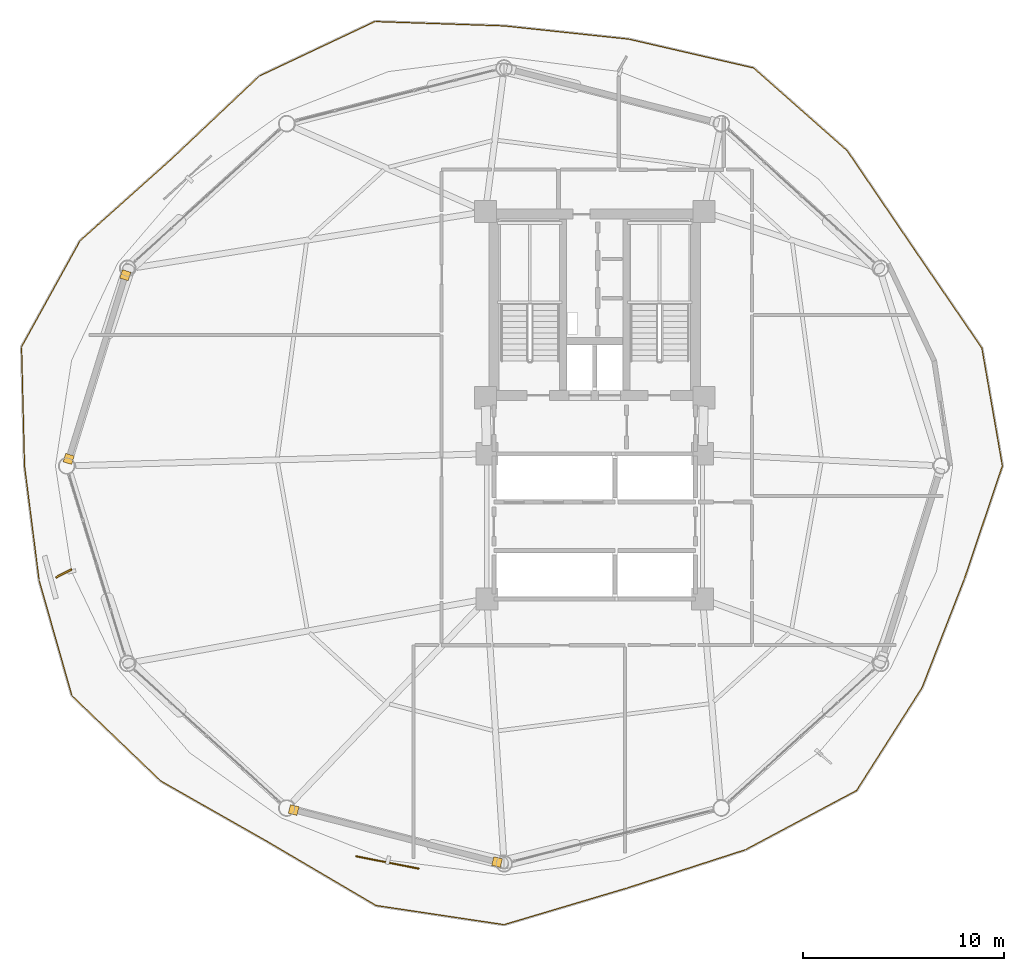
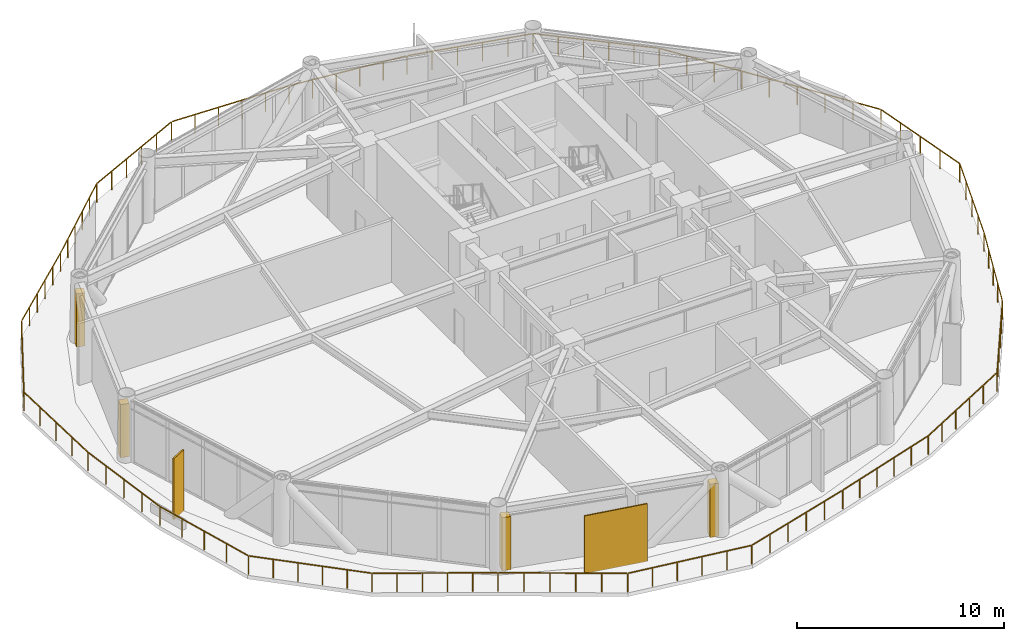
# One storey, part 24 of 26: 4 coverings, 2 shading devices, 1 railing.
"""IFC4 building model written with IfcOpenShell, lengths in metres."""

from ifc_helpers import new_model, si_unit, direction, frame, origin, origin_2d, place, context, subcontext, project, spatial, rectangle, extrude, source, transform, mapped, material, layer, layer_set, type_object, type_shapes, element, save


model = new_model("IFC4")

# Units and contexts
model_context = context("Model", 3, precision=1e-05, world=origin(), true_north=direction((0.0, 1.0)))
body_context = subcontext(model_context, "Body", "Model", "MODEL_VIEW")
ifc_project = project(units=[si_unit("LENGTHUNIT", "METRE"), si_unit("AREAUNIT", "SQUARE_METRE"), si_unit("VOLUMEUNIT", "CUBIC_METRE"), si_unit("PLANEANGLEUNIT", "RADIAN"), si_unit("MASSUNIT", "GRAM", prefix="KILO")], contexts=[model_context])

# Site, building, storey
site_placement = place(None, origin())
site = spatial("IfcSite", under=ifc_project, at=site_placement, CompositionType="ELEMENT")
building_placement = place(site_placement, origin())
building = spatial("IfcBuilding", under=site, at=building_placement, Name="Varnakorn Sky Granary", CompositionType="ELEMENT")
storey_placement = place(building_placement, frame((0.0, 0.0, 95.39990234375)))
storey = spatial("IfcBuildingStorey", under=building, at=storey_placement, Name="L23", CompositionType="ELEMENT", Elevation=95.39990234375)

# Railing
ifc_material = material(Name="Anodised Bronze Aluminium Alloy 6063-T6", Category="aluminium")
railing_type = type_object("IfcRailingType", Name="RL-BAL-1120", PredefinedType="BALUSTRADE", material=ifc_material)
railing_placement = place(storey_placement, frame((23.233642578125, 0.0, 0.0)))
element("IfcRailing", 1, at=railing_placement, inside=storey, type_object=railing_type, Name="Wavy Growing Deck Guard Balustrade L23", PredefinedType="BALUSTRADE", context=body_context, shape_type="SweptSolid", body=[
    extrude(rectangle(XDim=0.048095703125, YDim=0.048095703125, at=origin_2d()), frame((-0.0048828125, 0.027587890625, 1.09619140625), z_axis=(-0.171584161703, 0.985169465347, 0.0), x_axis=(-0.985169465347, -0.171584161703, 0.0)), (0.0, 0.0, 1.0), 5.880126953125),
    extrude(rectangle(XDim=0.048095703125, YDim=0.048095703125, at=origin_2d()), frame((-1.034423828125, 5.871337890625, 1.09619140625), z_axis=(-0.565011134702, 0.825083279229, 0.0), x_axis=(-0.825083279229, -0.565011134702, 0.0)), (0.0, 0.0, 1.0), 5.90771484375),
    extrude(rectangle(XDim=0.048095703125, YDim=0.048095703125, at=origin_2d()), frame((-4.40380859375, 10.7919921875, 1.09619140625), z_axis=(-0.562118679126, 0.827056582453, 0.0), x_axis=(-0.827056582453, -0.562118679126, 0.0)), (0.0, 0.0, 1.0), 5.842529296875),
    extrude(rectangle(XDim=0.048095703125, YDim=0.048095703125, at=origin_2d()), frame((-7.724853515625, 15.665771484375, 1.09619140625), z_axis=(-0.749397678514, 0.662120169937, 0.0), x_axis=(-0.662120169937, -0.749397678514, 0.0)), (0.0, 0.0, 1.0), 6.1455078125),
    extrude(rectangle(XDim=0.048095703125, YDim=0.048095703125, at=origin_2d()), frame((-12.378662109375, 19.759765625, 1.09619140625), z_axis=(-0.974431918751, 0.22468296713, 0.0), x_axis=(-0.22468296713, -0.974431918751, 0.0)), (0.0, 0.0, 1.0), 6.30712890625),
    extrude(rectangle(XDim=0.048095703125, YDim=0.048095703125, at=origin_2d()), frame((-18.57958984375, 21.18603515625, 1.09619140625), z_axis=(-0.994429010946, 0.105408454065, 0.0), x_axis=(-0.105408454065, -0.994429010946, 0.0)), (0.0, 0.0, 1.0), 6.160400390625),
    extrude(rectangle(XDim=0.048095703125, YDim=0.048095703125, at=origin_2d()), frame((-24.76171875, 21.83935546875, 1.09619140625), z_axis=(-0.999434644658, 0.033621288754, 0.0), x_axis=(-0.033621288754, -0.999434644658, 0.0)), (0.0, 0.0, 1.0), 6.363037109375),
    extrude(rectangle(XDim=0.048095703125, YDim=0.048095703125, at=origin_2d()), frame((-31.174560546875, 22.042236328125, 1.09619140625), z_axis=(-0.904392337518, -0.426701886378, 0.0), x_axis=(0.426701886378, -0.904392337518, 0.0)), (0.0, 0.0, 1.0), 6.283447265625),
    extrude(rectangle(XDim=0.048095703125, YDim=0.048095703125, at=origin_2d()), frame((-36.90283203125, 19.329833984375, 1.09619140625), z_axis=(-0.727024304099, -0.686611725249, 0.0), x_axis=(0.686611725249, -0.727024304099, 0.0)), (0.0, 0.0, 1.0), 6.015380859375),
    extrude(rectangle(XDim=0.048095703125, YDim=0.048095703125, at=origin_2d()), frame((-41.3173828125, 15.161865234375, 1.09619140625), z_axis=(-0.745490820223, -0.666515894007, 0.0), x_axis=(0.666515894007, -0.745490820223, 0.0)), (0.0, 0.0, 1.0), 5.956787109375),
    extrude(rectangle(XDim=0.048095703125, YDim=0.048095703125, at=origin_2d()), frame((-45.79248046875, 11.1484375, 1.09619140625), z_axis=(-0.483036531776, -0.875600199275, 0.0), x_axis=(0.875600199275, -0.483036531776, 0.0)), (0.0, 0.0, 1.0), 5.95361328125),
    extrude(rectangle(XDim=0.048095703125, YDim=0.048095703125, at=origin_2d()), frame((-48.68115234375, 5.8828125, 1.09619140625), z_axis=(0.025022108141, -0.999686898036, 0.0), x_axis=(0.999686898036, 0.025022108141, 0.0)), (0.0, 0.0, 1.0), 5.856689453125),
    extrude(rectangle(XDim=0.048095703125, YDim=0.048095703125, at=origin_2d()), frame((-48.530517578125, -0.02783203125, 1.09619140625), z_axis=(0.126307704955, -0.99199111068, 0.0), x_axis=(0.99199111068, 0.126307704955, 0.0)), (0.0, 0.0, 1.0), 5.667236328125),
    extrude(rectangle(XDim=0.048095703125, YDim=0.048095703125, at=origin_2d()), frame((-47.803466796875, -5.704345703125, 1.09619140625), z_axis=(0.273307694807, -0.961926662464, 0.0), x_axis=(0.961926662464, 0.273307694807, 0.0)), (0.0, 0.0, 1.0), 5.8994140625),
    extrude(rectangle(XDim=0.048095703125, YDim=0.048095703125, at=origin_2d()), frame((-46.1630859375, -11.425537109375, 1.09619140625), z_axis=(0.72156331708, -0.692348452331, 0.0), x_axis=(0.692348452331, 0.72156331708, 0.0)), (0.0, 0.0, 1.0), 6.069580078125),
    extrude(rectangle(XDim=0.048095703125, YDim=0.048095703125, at=origin_2d()), frame((-41.739013671875, -15.6611328125, 1.09619140625), z_axis=(0.869508308575, -0.493918314419, 0.0), x_axis=(0.493918314419, 0.869508308575, 0.0)), (0.0, 0.0, 1.0), 6.022216796875),
    extrude(rectangle(XDim=0.048095703125, YDim=0.048095703125, at=origin_2d()), frame((-36.4541015625, -18.66357421875, 1.09619140625), z_axis=(0.861954280779, -0.506986013463, 0.0), x_axis=(0.506986013463, 0.861954280779, 0.0)), (0.0, 0.0, 1.0), 6.199462890625),
    extrude(rectangle(XDim=0.048095703125, YDim=0.048095703125, at=origin_2d()), frame((-31.058837890625, -21.824951171875, 1.09619140625), z_axis=(0.988981747674, -0.1480375046, 0.0), x_axis=(0.1480375046, 0.988981747674, 0.0)), (0.0, 0.0, 1.0), 6.36767578125),
    extrude(rectangle(XDim=0.048095703125, YDim=0.048095703125, at=origin_2d()), frame((-24.706787109375, -22.763671875, 1.09619140625), z_axis=(0.958429300002, 0.285330119155, 0.0), x_axis=(-0.285330119155, 0.958429300002, 0.0)), (0.0, 0.0, 1.0), 6.328857421875),
    extrude(rectangle(XDim=0.048095703125, YDim=0.048095703125, at=origin_2d()), frame((-18.587646484375, -20.94140625, 1.09619140625), z_axis=(0.951394987034, 0.307973340804, 0.0), x_axis=(-0.307973340804, 0.951394987034, 0.0)), (0.0, 0.0, 1.0), 6.10205078125),
    extrude(rectangle(XDim=0.048095703125, YDim=0.048095703125, at=origin_2d()), frame((-12.73095703125, -19.040283203125, 1.09619140625), z_axis=(0.882587375565, 0.470148406883, 0.0), x_axis=(-0.470148406883, 0.882587375565, 0.0)), (0.0, 0.0, 1.0), 6.19677734375),
    extrude(rectangle(XDim=0.048095703125, YDim=0.048095703125, at=origin_2d()), frame((-7.221923828125, -16.090087890625, 1.09619140625), z_axis=(0.536888528697, 0.843653191634, 0.0), x_axis=(-0.843653191634, 0.536888528697, 0.0)), (0.0, 0.0, 1.0), 6.0029296875),
    extrude(rectangle(XDim=0.048095703125, YDim=0.048095703125, at=origin_2d()), frame((-3.973876953125, -10.97607421875, 1.09619140625), z_axis=(0.362364726864, 0.932036375216, 0.0), x_axis=(-0.932036375216, 0.362364726864, 0.0)), (0.0, 0.0, 1.0), 5.72412109375),
    extrude(rectangle(XDim=0.048095703125, YDim=0.048095703125, at=origin_2d()), frame((-1.880615234375, -5.58837890625, 1.09619140625), z_axis=(0.318958619515, 0.947768642147, 0.0), x_axis=(-0.947768642147, 0.318958619515, 0.0)), (0.0, 0.0, 1.0), 5.868408203125),
    extrude(rectangle(XDim=0.0419921875, YDim=0.0419921875, at=origin_2d()), origin(), (0.0, 0.0, 1.0), 1.068115234375),
    extrude(rectangle(XDim=0.0419921875, YDim=0.0419921875, at=origin_2d()), frame((-0.254638671875, 1.4619140625, 0.0)), (0.0, 0.0, 1.0), 1.068115234375),
    extrude(rectangle(XDim=0.0419921875, YDim=0.0419921875, at=origin_2d()), frame((-0.50927734375, 2.924072265625, 0.0)), (0.0, 0.0, 1.0), 1.068115234375),
    extrude(rectangle(XDim=0.0419921875, YDim=0.0419921875, at=origin_2d()), frame((-0.763916015625, 4.38623046875, 0.0)), (0.0, 0.0, 1.0), 1.068115234375),
    extrude(rectangle(XDim=0.0419921875, YDim=0.0419921875, at=origin_2d()), frame((-1.0185546875, 5.84814453125, 0.0)), (0.0, 0.0, 1.0), 1.068115234375),
    extrude(rectangle(XDim=0.0419921875, YDim=0.0419921875, at=origin_2d()), frame((-1.86083984375, 7.078369140625, 0.0)), (0.0, 0.0, 1.0), 1.068115234375),
    extrude(rectangle(XDim=0.0419921875, YDim=0.0419921875, at=origin_2d()), frame((-2.703369140625, 8.30859375, 0.0)), (0.0, 0.0, 1.0), 1.068115234375),
    extrude(rectangle(XDim=0.0419921875, YDim=0.0419921875, at=origin_2d()), frame((-3.5458984375, 9.53857421875, 0.0)), (0.0, 0.0, 1.0), 1.068115234375),
    extrude(rectangle(XDim=0.0419921875, YDim=0.0419921875, at=origin_2d()), frame((-4.38818359375, 10.768798828125, 0.0)), (0.0, 0.0, 1.0), 1.068115234375),
    extrude(rectangle(XDim=0.0419921875, YDim=0.0419921875, at=origin_2d()), frame((-5.217041015625, 11.98828125, 0.0)), (0.0, 0.0, 1.0), 1.068115234375),
    extrude(rectangle(XDim=0.0419921875, YDim=0.0419921875, at=origin_2d()), frame((-6.0458984375, 13.2080078125, 0.0)), (0.0, 0.0, 1.0), 1.068115234375),
    extrude(rectangle(XDim=0.0419921875, YDim=0.0419921875, at=origin_2d()), frame((-6.875, 14.427734375, 0.0)), (0.0, 0.0, 1.0), 1.068115234375),
    extrude(rectangle(XDim=0.0419921875, YDim=0.0419921875, at=origin_2d()), frame((-7.703857421875, 15.647216796875, 0.0)), (0.0, 0.0, 1.0), 1.068115234375),
    extrude(rectangle(XDim=0.0419921875, YDim=0.0419921875, at=origin_2d()), frame((-8.63330078125, 16.468505859375, 0.0)), (0.0, 0.0, 1.0), 1.068115234375),
    extrude(rectangle(XDim=0.0419921875, YDim=0.0419921875, at=origin_2d()), frame((-9.562744140625, 17.289794921875, 0.0)), (0.0, 0.0, 1.0), 1.068115234375),
    extrude(rectangle(XDim=0.0419921875, YDim=0.0419921875, at=origin_2d()), frame((-10.492431640625, 18.11083984375, 0.0)), (0.0, 0.0, 1.0), 1.068115234375),
    extrude(rectangle(XDim=0.0419921875, YDim=0.0419921875, at=origin_2d()), frame((-11.421875, 18.93212890625, 0.0)), (0.0, 0.0, 1.0), 1.068115234375),
    extrude(rectangle(XDim=0.0419921875, YDim=0.0419921875, at=origin_2d()), frame((-12.351318359375, 19.75341796875, 0.0)), (0.0, 0.0, 1.0), 1.068115234375),
    extrude(rectangle(XDim=0.0419921875, YDim=0.0419921875, at=origin_2d()), frame((-13.59130859375, 20.039306640625, 0.0)), (0.0, 0.0, 1.0), 1.068115234375),
    extrude(rectangle(XDim=0.0419921875, YDim=0.0419921875, at=origin_2d()), frame((-14.83154296875, 20.3251953125, 0.0)), (0.0, 0.0, 1.0), 1.068115234375),
    extrude(rectangle(XDim=0.0419921875, YDim=0.0419921875, at=origin_2d()), frame((-16.071533203125, 20.611328125, 0.0)), (0.0, 0.0, 1.0), 1.068115234375),
    extrude(rectangle(XDim=0.0419921875, YDim=0.0419921875, at=origin_2d()), frame((-17.311767578125, 20.897216796875, 0.0)), (0.0, 0.0, 1.0), 1.068115234375),
    extrude(rectangle(XDim=0.0419921875, YDim=0.0419921875, at=origin_2d()), frame((-18.5517578125, 21.18310546875, 0.0)), (0.0, 0.0, 1.0), 1.068115234375),
    extrude(rectangle(XDim=0.0419921875, YDim=0.0419921875, at=origin_2d()), frame((-19.7880859375, 21.314208984375, 0.0)), (0.0, 0.0, 1.0), 1.068115234375),
    extrude(rectangle(XDim=0.0419921875, YDim=0.0419921875, at=origin_2d()), frame((-21.0244140625, 21.4453125, 0.0)), (0.0, 0.0, 1.0), 1.068115234375),
    extrude(rectangle(XDim=0.0419921875, YDim=0.0419921875, at=origin_2d()), frame((-22.260986328125, 21.576171875, 0.0)), (0.0, 0.0, 1.0), 1.068115234375),
    extrude(rectangle(XDim=0.0419921875, YDim=0.0419921875, at=origin_2d()), frame((-23.497314453125, 21.707275390625, 0.0)), (0.0, 0.0, 1.0), 1.068115234375),
    extrude(rectangle(XDim=0.0419921875, YDim=0.0419921875, at=origin_2d()), frame((-24.733642578125, 21.83837890625, 0.0)), (0.0, 0.0, 1.0), 1.068115234375),
    extrude(rectangle(XDim=0.0419921875, YDim=0.0419921875, at=origin_2d()), frame((-26.016845703125, 21.881591796875, 0.0)), (0.0, 0.0, 1.0), 1.068115234375),
    extrude(rectangle(XDim=0.0419921875, YDim=0.0419921875, at=origin_2d()), frame((-27.2998046875, 21.9248046875, 0.0)), (0.0, 0.0, 1.0), 1.068115234375),
    extrude(rectangle(XDim=0.0419921875, YDim=0.0419921875, at=origin_2d()), frame((-28.5830078125, 21.9677734375, 0.0)), (0.0, 0.0, 1.0), 1.068115234375),
    extrude(rectangle(XDim=0.0419921875, YDim=0.0419921875, at=origin_2d()), frame((-29.865966796875, 22.010986328125, 0.0)), (0.0, 0.0, 1.0), 1.068115234375),
    extrude(rectangle(XDim=0.0419921875, YDim=0.0419921875, at=origin_2d()), frame((-31.149169921875, 22.05419921875, 0.0)), (0.0, 0.0, 1.0), 1.068115234375),
    extrude(rectangle(XDim=0.0419921875, YDim=0.0419921875, at=origin_2d()), frame((-32.2958984375, 21.51318359375, 0.0)), (0.0, 0.0, 1.0), 1.068115234375),
    extrude(rectangle(XDim=0.0419921875, YDim=0.0419921875, at=origin_2d()), frame((-33.442626953125, 20.97216796875, 0.0)), (0.0, 0.0, 1.0), 1.068115234375),
    extrude(rectangle(XDim=0.0419921875, YDim=0.0419921875, at=origin_2d()), frame((-34.589111328125, 20.43115234375, 0.0)), (0.0, 0.0, 1.0), 1.068115234375),
    extrude(rectangle(XDim=0.0419921875, YDim=0.0419921875, at=origin_2d()), frame((-35.73583984375, 19.89013671875, 0.0)), (0.0, 0.0, 1.0), 1.068115234375),
    extrude(rectangle(XDim=0.0419921875, YDim=0.0419921875, at=origin_2d()), frame((-36.882568359375, 19.34912109375, 0.0)), (0.0, 0.0, 1.0), 1.068115234375),
    extrude(rectangle(XDim=0.0419921875, YDim=0.0419921875, at=origin_2d()), frame((-37.765380859375, 18.515380859375, 0.0)), (0.0, 0.0, 1.0), 1.068115234375),
    extrude(rectangle(XDim=0.0419921875, YDim=0.0419921875, at=origin_2d()), frame((-38.648193359375, 17.681640625, 0.0)), (0.0, 0.0, 1.0), 1.068115234375),
    extrude(rectangle(XDim=0.0419921875, YDim=0.0419921875, at=origin_2d()), frame((-39.531005859375, 16.847900390625, 0.0)), (0.0, 0.0, 1.0), 1.068115234375),
    extrude(rectangle(XDim=0.0419921875, YDim=0.0419921875, at=origin_2d()), frame((-40.413818359375, 16.01416015625, 0.0)), (0.0, 0.0, 1.0), 1.068115234375),
    extrude(rectangle(XDim=0.0419921875, YDim=0.0419921875, at=origin_2d()), frame((-41.296630859375, 15.180419921875, 0.0)), (0.0, 0.0, 1.0), 1.068115234375),
    extrude(rectangle(XDim=0.0419921875, YDim=0.0419921875, at=origin_2d()), frame((-42.193115234375, 14.37890625, 0.0)), (0.0, 0.0, 1.0), 1.068115234375),
    extrude(rectangle(XDim=0.0419921875, YDim=0.0419921875, at=origin_2d()), frame((-43.089599609375, 13.577392578125, 0.0)), (0.0, 0.0, 1.0), 1.068115234375),
    extrude(rectangle(XDim=0.0419921875, YDim=0.0419921875, at=origin_2d()), frame((-43.986083984375, 12.77587890625, 0.0)), (0.0, 0.0, 1.0), 1.068115234375),
    extrude(rectangle(XDim=0.0419921875, YDim=0.0419921875, at=origin_2d()), frame((-44.882568359375, 11.974365234375, 0.0)), (0.0, 0.0, 1.0), 1.068115234375),
    extrude(rectangle(XDim=0.0419921875, YDim=0.0419921875, at=origin_2d()), frame((-45.779052734375, 11.1728515625, 0.0)), (0.0, 0.0, 1.0), 1.068115234375),
    extrude(rectangle(XDim=0.0419921875, YDim=0.0419921875, at=origin_2d()), frame((-46.359619140625, 10.120361328125, 0.0)), (0.0, 0.0, 1.0), 1.068115234375),
    extrude(rectangle(XDim=0.0419921875, YDim=0.0419921875, at=origin_2d()), frame((-46.940185546875, 9.068115234375, 0.0)), (0.0, 0.0, 1.0), 1.068115234375),
    extrude(rectangle(XDim=0.0419921875, YDim=0.0419921875, at=origin_2d()), frame((-47.520751953125, 8.015625, 0.0)), (0.0, 0.0, 1.0), 1.068115234375),
    extrude(rectangle(XDim=0.0419921875, YDim=0.0419921875, at=origin_2d()), frame((-48.101318359375, 6.96337890625, 0.0)), (0.0, 0.0, 1.0), 1.068115234375),
    extrude(rectangle(XDim=0.0419921875, YDim=0.0419921875, at=origin_2d()), frame((-48.681884765625, 5.910888671875, 0.0)), (0.0, 0.0, 1.0), 1.068115234375),
    extrude(rectangle(XDim=0.0419921875, YDim=0.0419921875, at=origin_2d()), frame((-48.64501953125, 4.43310546875, 0.0)), (0.0, 0.0, 1.0), 1.068115234375),
    extrude(rectangle(XDim=0.0419921875, YDim=0.0419921875, at=origin_2d()), frame((-48.60791015625, 2.95556640625, 0.0)), (0.0, 0.0, 1.0), 1.068115234375),
    extrude(rectangle(XDim=0.0419921875, YDim=0.0419921875, at=origin_2d()), frame((-48.57080078125, 1.477783203125, 0.0)), (0.0, 0.0, 1.0), 1.068115234375),
    extrude(rectangle(XDim=0.0419921875, YDim=0.0419921875, at=origin_2d()), frame((-48.533935546875, 0.0, 0.0)), (0.0, 0.0, 1.0), 1.068115234375),
    extrude(rectangle(XDim=0.0419921875, YDim=0.0419921875, at=origin_2d()), frame((-48.353271484375, -1.41943359375, 0.0)), (0.0, 0.0, 1.0), 1.068115234375),
    extrude(rectangle(XDim=0.0419921875, YDim=0.0419921875, at=origin_2d()), frame((-48.17236328125, -2.8388671875, 0.0)), (0.0, 0.0, 1.0), 1.068115234375),
    extrude(rectangle(XDim=0.0419921875, YDim=0.0419921875, at=origin_2d()), frame((-47.99169921875, -4.258056640625, 0.0)), (0.0, 0.0, 1.0), 1.068115234375),
    extrude(rectangle(XDim=0.0419921875, YDim=0.0419921875, at=origin_2d()), frame((-47.81103515625, -5.677490234375, 0.0)), (0.0, 0.0, 1.0), 1.068115234375),
    extrude(rectangle(XDim=0.0419921875, YDim=0.0419921875, at=origin_2d()), frame((-47.404052734375, -7.109619140625, 0.0)), (0.0, 0.0, 1.0), 1.068115234375),
    extrude(rectangle(XDim=0.0419921875, YDim=0.0419921875, at=origin_2d()), frame((-46.9970703125, -8.5419921875, 0.0)), (0.0, 0.0, 1.0), 1.068115234375),
    extrude(rectangle(XDim=0.0419921875, YDim=0.0419921875, at=origin_2d()), frame((-46.59033203125, -9.97412109375, 0.0)), (0.0, 0.0, 1.0), 1.068115234375),
    extrude(rectangle(XDim=0.0419921875, YDim=0.0419921875, at=origin_2d()), frame((-46.183349609375, -11.40625, 0.0)), (0.0, 0.0, 1.0), 1.068115234375),
    extrude(rectangle(XDim=0.0419921875, YDim=0.0419921875, at=origin_2d()), frame((-45.29931640625, -12.25439453125, 0.0)), (0.0, 0.0, 1.0), 1.068115234375),
    extrude(rectangle(XDim=0.0419921875, YDim=0.0419921875, at=origin_2d()), frame((-44.415283203125, -13.1025390625, 0.0)), (0.0, 0.0, 1.0), 1.068115234375),
    extrude(rectangle(XDim=0.0419921875, YDim=0.0419921875, at=origin_2d()), frame((-43.531494140625, -13.950927734375, 0.0)), (0.0, 0.0, 1.0), 1.068115234375),
    extrude(rectangle(XDim=0.0419921875, YDim=0.0419921875, at=origin_2d()), frame((-42.6474609375, -14.799072265625, 0.0)), (0.0, 0.0, 1.0), 1.068115234375),
    extrude(rectangle(XDim=0.0419921875, YDim=0.0419921875, at=origin_2d()), frame((-41.763427734375, -15.647216796875, 0.0)), (0.0, 0.0, 1.0), 1.068115234375),
    extrude(rectangle(XDim=0.0419921875, YDim=0.0419921875, at=origin_2d()), frame((-40.706298828125, -16.24755859375, 0.0)), (0.0, 0.0, 1.0), 1.068115234375),
    extrude(rectangle(XDim=0.0419921875, YDim=0.0419921875, at=origin_2d()), frame((-39.6494140625, -16.84814453125, 0.0)), (0.0, 0.0, 1.0), 1.068115234375),
    extrude(rectangle(XDim=0.0419921875, YDim=0.0419921875, at=origin_2d()), frame((-38.59228515625, -17.448486328125, 0.0)), (0.0, 0.0, 1.0), 1.068115234375),
    extrude(rectangle(XDim=0.0419921875, YDim=0.0419921875, at=origin_2d()), frame((-37.535400390625, -18.049072265625, 0.0)), (0.0, 0.0, 1.0), 1.068115234375),
    extrude(rectangle(XDim=0.0419921875, YDim=0.0419921875, at=origin_2d()), frame((-36.478271484375, -18.6494140625, 0.0)), (0.0, 0.0, 1.0), 1.068115234375),
    extrude(rectangle(XDim=0.0419921875, YDim=0.0419921875, at=origin_2d()), frame((-35.39990234375, -19.28369140625, 0.0)), (0.0, 0.0, 1.0), 1.068115234375),
    extrude(rectangle(XDim=0.0419921875, YDim=0.0419921875, at=origin_2d()), frame((-34.321533203125, -19.91796875, 0.0)), (0.0, 0.0, 1.0), 1.068115234375),
    extrude(rectangle(XDim=0.0419921875, YDim=0.0419921875, at=origin_2d()), frame((-33.2431640625, -20.55224609375, 0.0)), (0.0, 0.0, 1.0), 1.068115234375),
    extrude(rectangle(XDim=0.0419921875, YDim=0.0419921875, at=origin_2d()), frame((-32.164794921875, -21.1865234375, 0.0)), (0.0, 0.0, 1.0), 1.068115234375),
    extrude(rectangle(XDim=0.0419921875, YDim=0.0419921875, at=origin_2d()), frame((-31.08642578125, -21.82080078125, 0.0)), (0.0, 0.0, 1.0), 1.068115234375),
    extrude(rectangle(XDim=0.0419921875, YDim=0.0419921875, at=origin_2d()), frame((-29.81591796875, -22.010986328125, 0.0)), (0.0, 0.0, 1.0), 1.068115234375),
    extrude(rectangle(XDim=0.0419921875, YDim=0.0419921875, at=origin_2d()), frame((-28.54541015625, -22.201171875, 0.0)), (0.0, 0.0, 1.0), 1.068115234375),
    extrude(rectangle(XDim=0.0419921875, YDim=0.0419921875, at=origin_2d()), frame((-27.274658203125, -22.391357421875, 0.0)), (0.0, 0.0, 1.0), 1.068115234375),
    extrude(rectangle(XDim=0.0419921875, YDim=0.0419921875, at=origin_2d()), frame((-26.004150390625, -22.58154296875, 0.0)), (0.0, 0.0, 1.0), 1.068115234375),
    extrude(rectangle(XDim=0.0419921875, YDim=0.0419921875, at=origin_2d()), frame((-24.733642578125, -22.771728515625, 0.0)), (0.0, 0.0, 1.0), 1.068115234375),
    extrude(rectangle(XDim=0.0419921875, YDim=0.0419921875, at=origin_2d()), frame((-23.509765625, -22.407470703125, 0.0)), (0.0, 0.0, 1.0), 1.068115234375),
    extrude(rectangle(XDim=0.0419921875, YDim=0.0419921875, at=origin_2d()), frame((-22.285888671875, -22.04296875, 0.0)), (0.0, 0.0, 1.0), 1.068115234375),
    extrude(rectangle(XDim=0.0419921875, YDim=0.0419921875, at=origin_2d()), frame((-21.06201171875, -21.6787109375, 0.0)), (0.0, 0.0, 1.0), 1.068115234375),
    extrude(rectangle(XDim=0.0419921875, YDim=0.0419921875, at=origin_2d()), frame((-19.838134765625, -21.314208984375, 0.0)), (0.0, 0.0, 1.0), 1.068115234375),
    extrude(rectangle(XDim=0.0419921875, YDim=0.0419921875, at=origin_2d()), frame((-18.6142578125, -20.949951171875, 0.0)), (0.0, 0.0, 1.0), 1.068115234375),
    extrude(rectangle(XDim=0.0419921875, YDim=0.0419921875, at=origin_2d()), frame((-17.442626953125, -20.570556640625, 0.0)), (0.0, 0.0, 1.0), 1.068115234375),
    extrude(rectangle(XDim=0.0419921875, YDim=0.0419921875, at=origin_2d()), frame((-16.270751953125, -20.19140625, 0.0)), (0.0, 0.0, 1.0), 1.068115234375),
    extrude(rectangle(XDim=0.0419921875, YDim=0.0419921875, at=origin_2d()), frame((-15.09912109375, -19.81201171875, 0.0)), (0.0, 0.0, 1.0), 1.068115234375),
    extrude(rectangle(XDim=0.0419921875, YDim=0.0419921875, at=origin_2d()), frame((-13.92724609375, -19.432861328125, 0.0)), (0.0, 0.0, 1.0), 1.068115234375),
    extrude(rectangle(XDim=0.0419921875, YDim=0.0419921875, at=origin_2d()), frame((-12.755615234375, -19.053466796875, 0.0)), (0.0, 0.0, 1.0), 1.068115234375),
    extrude(rectangle(XDim=0.0419921875, YDim=0.0419921875, at=origin_2d()), frame((-11.65185546875, -18.465576171875, 0.0)), (0.0, 0.0, 1.0), 1.068115234375),
    extrude(rectangle(XDim=0.0419921875, YDim=0.0419921875, at=origin_2d()), frame((-10.548095703125, -17.877685546875, 0.0)), (0.0, 0.0, 1.0), 1.068115234375),
    extrude(rectangle(XDim=0.0419921875, YDim=0.0419921875, at=origin_2d()), frame((-9.444580078125, -17.28955078125, 0.0)), (0.0, 0.0, 1.0), 1.068115234375),
    extrude(rectangle(XDim=0.0419921875, YDim=0.0419921875, at=origin_2d()), frame((-8.3408203125, -16.70166015625, 0.0)), (0.0, 0.0, 1.0), 1.068115234375),
    extrude(rectangle(XDim=0.0419921875, YDim=0.0419921875, at=origin_2d()), frame((-7.237060546875, -16.11376953125, 0.0)), (0.0, 0.0, 1.0), 1.068115234375),
    extrude(rectangle(XDim=0.0419921875, YDim=0.0419921875, at=origin_2d()), frame((-6.58642578125, -15.091552734375, 0.0)), (0.0, 0.0, 1.0), 1.068115234375),
    extrude(rectangle(XDim=0.0419921875, YDim=0.0419921875, at=origin_2d()), frame((-5.935791015625, -14.069091796875, 0.0)), (0.0, 0.0, 1.0), 1.068115234375),
    extrude(rectangle(XDim=0.0419921875, YDim=0.0419921875, at=origin_2d()), frame((-5.285400390625, -13.046875, 0.0)), (0.0, 0.0, 1.0), 1.068115234375),
    extrude(rectangle(XDim=0.0419921875, YDim=0.0419921875, at=origin_2d()), frame((-4.634765625, -12.0244140625, 0.0)), (0.0, 0.0, 1.0), 1.068115234375),
    extrude(rectangle(XDim=0.0419921875, YDim=0.0419921875, at=origin_2d()), frame((-3.984130859375, -11.002197265625, 0.0)), (0.0, 0.0, 1.0), 1.068115234375),
    extrude(rectangle(XDim=0.0419921875, YDim=0.0419921875, at=origin_2d()), frame((-3.46044921875, -9.6552734375, 0.0)), (0.0, 0.0, 1.0), 1.068115234375),
    extrude(rectangle(XDim=0.0419921875, YDim=0.0419921875, at=origin_2d()), frame((-2.93701171875, -8.30859375, 0.0)), (0.0, 0.0, 1.0), 1.068115234375),
    extrude(rectangle(XDim=0.0419921875, YDim=0.0419921875, at=origin_2d()), frame((-2.413330078125, -6.9619140625, 0.0)), (0.0, 0.0, 1.0), 1.068115234375),
    extrude(rectangle(XDim=0.0419921875, YDim=0.0419921875, at=origin_2d()), frame((-1.8896484375, -5.614990234375, 0.0)), (0.0, 0.0, 1.0), 1.068115234375),
    extrude(rectangle(XDim=0.0419921875, YDim=0.0419921875, at=origin_2d()), frame((-1.417236328125, -4.211181640625, 0.0)), (0.0, 0.0, 1.0), 1.068115234375),
    extrude(rectangle(XDim=0.0419921875, YDim=0.0419921875, at=origin_2d()), frame((-0.94482421875, -2.8076171875, 0.0)), (0.0, 0.0, 1.0), 1.068115234375),
    extrude(rectangle(XDim=0.0419921875, YDim=0.0419921875, at=origin_2d()), frame((-0.472412109375, -1.40380859375, 0.0)), (0.0, 0.0, 1.0), 1.068115234375),
])

# Shading devices
shading_device_type_1 = type_object("IfcShadingDeviceType", Name="SH-FIN-01", PredefinedType="USERDEFINED", material=ifc_material)
shared_shape_1 = source(origin(), body_context, "Body", "SweptSolid", [
    extrude(rectangle(XDim=0.0849609375, YDim=0.8798828125, at=origin_2d()), origin(), (0.0, 0.0, 1.0), 3.60009765625),
])
type_shapes(shading_device_type_1, [shared_shape_1])
shading_device_1_placement = place(storey_placement, frame((-23.35400390625, -5.3359375, -0.0400390625), z_axis=(0.0, 0.0, 1.0), x_axis=(0.468248473633, -0.883596835067, 0.0)))
element("IfcShadingDevice", 2, at=shading_device_1_placement, inside=storey, type_object=shading_device_type_1, Name="Bronze Solar-Tracking Vertical Blade FIN L23-07", ObjectType="FIN", PredefinedType="USERDEFINED", context=body_context, shape_type="MappedRepresentation", body=[
    mapped(shared_shape_1, transform((0.0, 0.0, 0.0), x_axis=(1.0, 0.0, 0.0), y_axis=(0.0, 1.0, 0.0), z_axis=(0.0, 0.0, 1.0), scale=1.0)),
])
shading_device_type_2 = type_object("IfcShadingDeviceType", Name="SH-SCR-01", PredefinedType="USERDEFINED", material=ifc_material)
shared_shape_2 = source(origin(), body_context, "Body", "SweptSolid", [
    extrude(rectangle(XDim=3.199951171875, YDim=0.06494140625, at=origin_2d()), origin(), (0.0, 0.0, 1.0), 3.39990234375),
])
type_shapes(shading_device_type_2, [shared_shape_2])
shading_device_2_placement = place(storey_placement, frame((-7.2880859375, -19.68408203125, -0.039794921875), z_axis=(0.0, 0.0, 1.0), x_axis=(0.981171235215, -0.193139864311, 0.0)))
element("IfcShadingDevice", 3, at=shading_device_2_placement, inside=storey, type_object=shading_device_type_2, Name="Perforated Bronze Solar Screen Panel SCREEN L23-09", ObjectType="SCREEN", PredefinedType="USERDEFINED", context=body_context, shape_type="MappedRepresentation", body=[
    mapped(shared_shape_2, transform((0.0, 0.0, 0.0), x_axis=(1.0, 0.0, 0.0), y_axis=(0.0, 1.0, 0.0), z_axis=(0.0, 0.0, 1.0), scale=1.0)),
])

# Coverings
ifc_layer = layer(ifc_material, 0.050048828125, Name="Anodised Bronze Aluminium Alloy 6063-T6")
ifc_layer_set = layer_set([ifc_layer], Name="Anodised Bronze Aluminium Alloy 6063-T6")
covering_type = type_object("IfcCoveringType", Name="CV-CLAD-50", PredefinedType="CLADDING", material=ifc_layer_set)
shared_shape_3 = source(origin(), body_context, "Body", "SweptSolid", [
    extrude(rectangle(XDim=0.43994140625, YDim=0.43994140625, at=origin_2d()), origin(), (0.0, 0.0, 1.0), 3.1298828125),
])
type_shapes(covering_type, [shared_shape_3])
for number, where, z_axis, x_axis, name in (
    (4, (-23.1103515625, 0.345458984375, -0.019775390625), (0.0, 0.0, 1.0), (0.294874299918, 0.955536052301, 0.0), "Bronze Corner Pilaster Closure L23-P06-A"),
    (5, (-20.297119140625, 9.464599609375, -0.019775390625), (0.0, 0.0, 1.0), (0.294874299918, 0.955536052301, 0.0), "Bronze Corner Pilaster Closure L23-P06-B"),
    (6, (-1.85009765625, -19.665283203125, -0.019775390625), (0.0, 0.0, 1.0), (-0.968756543371, 0.248013628006, 0.0), "Bronze Corner Pilaster Closure L23-P09-A"),
    (7, (-11.94091796875, -17.0810546875, -0.019775390625), (0.0, 0.0, 1.0), (-0.968756543371, 0.248013628006, 0.0), "Bronze Corner Pilaster Closure L23-P09-B"),
):
    element("IfcCovering", number, at=place(storey_placement, frame(where, z_axis=z_axis, x_axis=x_axis)), inside=storey, type_object=covering_type, Name=name, PredefinedType="CLADDING", context=body_context, shape_type="MappedRepresentation", body=[
        mapped(shared_shape_3, transform((0.0, 0.0, 0.0), x_axis=(1.0, 0.0, 0.0), y_axis=(0.0, 1.0, 0.0), z_axis=(0.0, 0.0, 1.0), scale=1.0)),
    ])

save(model, "model.ifc")
